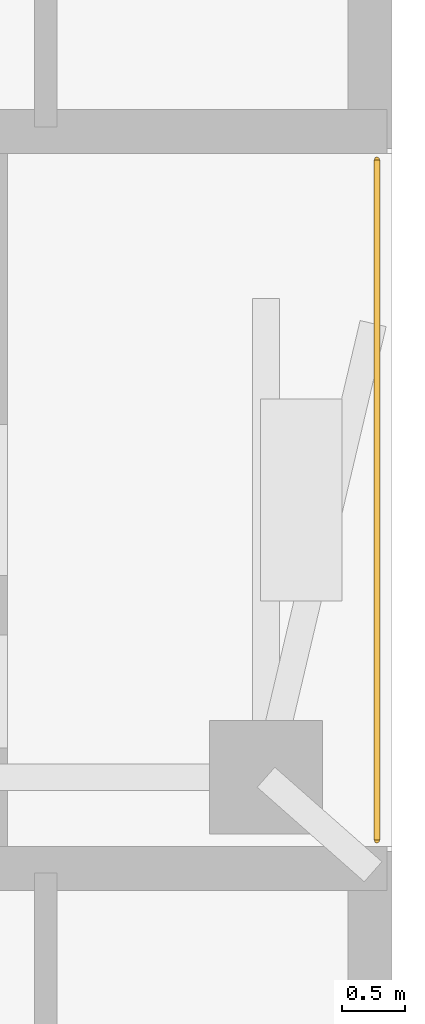
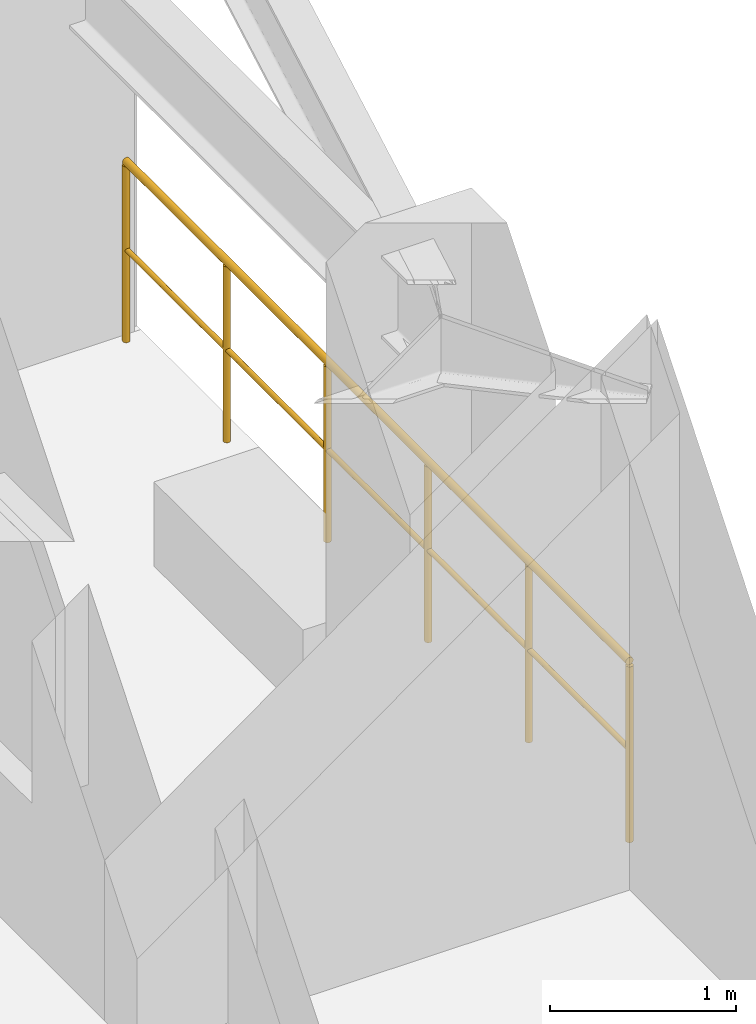
# One storey, part 10 of 10: 1 railing.
"""IFC4 building model written with IfcOpenShell, lengths in metres."""

from ifc_helpers import new_model, si_unit, direction, frame, origin, origin_2d, place, context, subcontext, project, spatial, circle, extrude, material, type_object, element, save


model = new_model("IFC4")

# Units and contexts
model_context = context("Model", 3, precision=1e-05, world=origin(), true_north=direction((0.0, 1.0)))
body_context = subcontext(model_context, "Body", "Model", "MODEL_VIEW")
ifc_project = project(units=[si_unit("LENGTHUNIT", "METRE"), si_unit("AREAUNIT", "SQUARE_METRE"), si_unit("VOLUMEUNIT", "CUBIC_METRE"), si_unit("PLANEANGLEUNIT", "RADIAN"), si_unit("MASSUNIT", "GRAM", prefix="KILO")], contexts=[model_context])

# Site, building, storey
site_placement = place(None, origin())
site = spatial("IfcSite", under=ifc_project, at=site_placement, CompositionType="ELEMENT")
building_placement = place(site_placement, origin())
building = spatial("IfcBuilding", under=site, at=building_placement, Name="Ventersveld Concourse Tower", CompositionType="ELEMENT")
storey_placement = place(building_placement, frame((0.0, 0.0, 104.14990234375)))
storey = spatial("IfcBuildingStorey", under=building, at=storey_placement, Name="L25", CompositionType="ELEMENT", Elevation=104.14990234375)

# Railing
ifc_material = material(Name="Brushed stainless steel 316", Category="steel")
railing_type = type_object("IfcRailingType", Name="GD-TER-120", PredefinedType="GUARDRAIL", material=ifc_material)
railing_placement = place(storey_placement, frame((54.780029296875, 23.10009765625, 0.0)))
element("IfcRailing", 1, at=railing_placement, inside=storey, type_object=railing_type, Name="L25 Outdoor Terrace Guardrail NOTCH-E", PredefinedType="GUARDRAIL", context=body_context, shape_type="SweptSolid", body=[
    extrude(circle(Radius=0.02392578125, at=origin_2d()), frame((0.0, 0.0, 1.17578125), z_axis=(0.0, 1.0, 0.0), x_axis=(-1.0, 0.0, 0.0)), (0.0, 0.0, 1.0), 5.39990234375),
    extrude(circle(Radius=0.01611328125, at=origin_2d()), frame((0.0, 0.0, 0.60009765625), z_axis=(0.0, 1.0, 0.0), x_axis=(-1.0, 0.0, 0.0)), (0.0, 0.0, 1.0), 5.39990234375),
    extrude(circle(Radius=0.02099609375, at=origin_2d()), origin(), (0.0, 0.0, 1.0), 1.15185546875),
    extrude(circle(Radius=0.02099609375, at=origin_2d()), frame((0.0, 1.080078125, 0.0)), (0.0, 0.0, 1.0), 1.15185546875),
    extrude(circle(Radius=0.02099609375, at=origin_2d()), frame((0.0, 2.159912109375, 0.0)), (0.0, 0.0, 1.0), 1.15185546875),
    extrude(circle(Radius=0.02099609375, at=origin_2d()), frame((0.0, 3.239990234375, 0.0)), (0.0, 0.0, 1.0), 1.15185546875),
    extrude(circle(Radius=0.02099609375, at=origin_2d()), frame((0.0, 4.31982421875, 0.0)), (0.0, 0.0, 1.0), 1.15185546875),
    extrude(circle(Radius=0.02099609375, at=origin_2d()), frame((0.0, 5.39990234375, 0.0)), (0.0, 0.0, 1.0), 1.15185546875),
])

save(model, "model.ifc")
